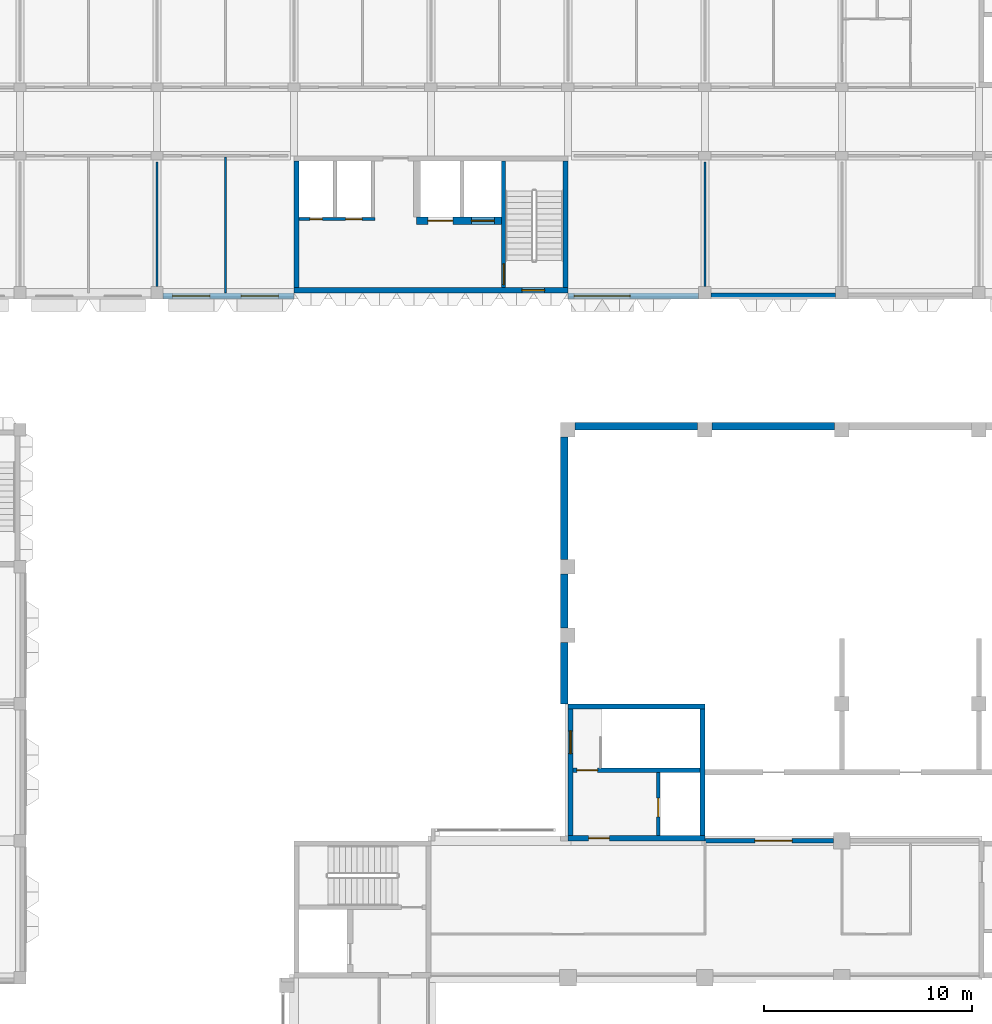
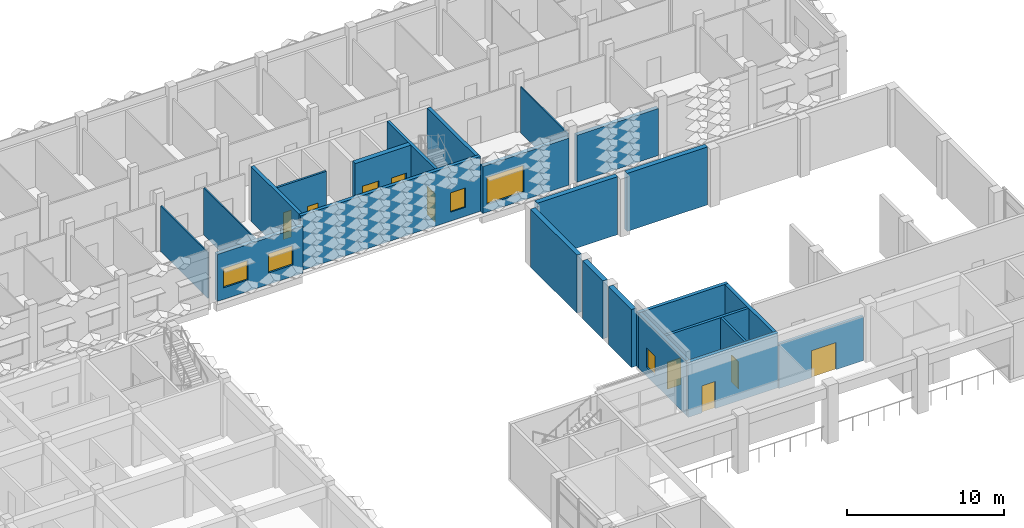
# One storey, part 35 of 87: 24 walls, 9 doors, 5 windows, 14 openings.
"""IFC4 building model written with IfcOpenShell, lengths in metres."""

from ifc_helpers import new_model, si_unit, direction, frame, frame_2d, origin, place, context, subcontext, project, spatial, rectangle, extrude, material, layer, layer_set, type_object, element, fill, save


model = new_model("IFC4")

# Units and contexts
model_context = context("Model", 3, precision=1e-05, world=origin(), true_north=direction((0.0, 1.0)))
body_context = subcontext(model_context, "Body", "Model", "MODEL_VIEW")
ifc_project = project(units=[si_unit("LENGTHUNIT", "METRE"), si_unit("AREAUNIT", "SQUARE_METRE"), si_unit("VOLUMEUNIT", "CUBIC_METRE"), si_unit("PLANEANGLEUNIT", "RADIAN"), si_unit("MASSUNIT", "GRAM", prefix="KILO")], contexts=[model_context])

# Site, building, storey
site_placement = place(None, origin())
site = spatial("IfcSite", under=ifc_project, at=site_placement, CompositionType="ELEMENT")
building_placement = place(site_placement, origin())
building = spatial("IfcBuilding", under=site, at=building_placement, Name="Lantern Court Research Institute", CompositionType="ELEMENT")
storey_placement = place(building_placement, frame((0.0, 0.0, 5.39990234375)))
storey = spatial("IfcBuildingStorey", under=building, at=storey_placement, Name="L01", CompositionType="ELEMENT", Elevation=5.39990234375)

# Wall, openings, windows
ifc_material_1 = material(Name="Concrete C30/37", Category="concrete")
ifc_layer_1 = layer(ifc_material_1, 0.300048828125)
ifc_layer_set_1 = layer_set([ifc_layer_1], Name="Concrete C30/37")
wall_type_1 = type_object("IfcWallType", Name="Insulated concrete infill wall 300", PredefinedType="STANDARD", material=ifc_layer_set_1)
wall_1_placement = place(storey_placement, frame((39.60009765625, 82.35009765625, 0.0), z_axis=(0.0, 0.0, 1.0), x_axis=(-1.0, 0.0, 0.0)))
wall_1 = element("IfcWall", 1, at=wall_1_placement, inside=storey, type_object=wall_type_1, Name="Exterior wall EW124", PredefinedType="STANDARD", context=body_context, shape_type="SweptSolid", body=[
    extrude(rectangle(XDim=6.300048828125, YDim=0.300048828125, at=frame_2d((3.14990234375, 0.0))), origin(), (0.0, 0.0, 1.0), 3.650146484375),
])
opening_1_placement = place(wall_1_placement, frame((4.050048828125, 0.0, 0.89990234375)))
opening_1 = element("IfcOpeningElement", 2, at=opening_1_placement, cuts=wall_1, Name="Opening W14", PredefinedType="OPENING", context=body_context, shape_type="SweptSolid", body=[
    extrude(rectangle(XDim=1.800048828125, YDim=1.5, at=frame_2d((0.89990234375, 0.75))), frame((0.0, 0.159912109375, 0.0), z_axis=(0.0, -1.0, 0.0), x_axis=(1.0, 0.0, 0.0)), (0.0, 0.0, 1.0), 0.320068359375),
])
opening_2_placement = place(wall_1_placement, frame((0.75, 0.0, 0.89990234375)))
opening_2 = element("IfcOpeningElement", 3, at=opening_2_placement, cuts=wall_1, Name="Opening W14", PredefinedType="OPENING", context=body_context, shape_type="SweptSolid", body=[
    extrude(rectangle(XDim=1.800048828125, YDim=1.5, at=frame_2d((0.89990234375, 0.75))), frame((0.0, 0.159912109375, 0.0), z_axis=(0.0, -1.0, 0.0), x_axis=(1.0, 0.0, 0.0)), (0.0, 0.0, 1.0), 0.320068359375),
])
ifc_material_2 = material(Name="Aluminium frame with laminated low-emissivity glazing", Category="aluminium")
window_type_1 = type_object("IfcWindowType", Name="Office window 1800 x 1500", PartitioningType="SINGLE_PANEL", PredefinedType="WINDOW", material=ifc_material_2)
window_1_placement = place(opening_1_placement, origin())
window_1 = element("IfcWindow", 4, at=window_1_placement, inside=storey, type_object=window_type_1, Name="Window W14 V6S L01", OverallHeight=1.5, OverallWidth=1.800048828125, PartitioningType="SINGLE_PANEL", PredefinedType="WINDOW", context=body_context, shape_type="SweptSolid", body=[
    extrude(rectangle(XDim=1.800048828125, YDim=1.5, at=frame_2d((0.89990234375, 0.75))), frame((0.0, 0.030029296875, 0.0), z_axis=(0.0, -1.0, 0.0), x_axis=(1.0, 0.0, 0.0)), (0.0, 0.0, 1.0), 0.06005859375),
])
fill(opening_1, window_1)
window_2_placement = place(opening_2_placement, origin())
window_2 = element("IfcWindow", 5, at=window_2_placement, inside=storey, type_object=window_type_1, Name="Window W14 V6S L01", OverallHeight=1.5, OverallWidth=1.800048828125, PartitioningType="SINGLE_PANEL", PredefinedType="WINDOW", context=body_context, shape_type="SweptSolid", body=[
    extrude(rectangle(XDim=1.800048828125, YDim=1.5, at=frame_2d((0.89990234375, 0.75))), frame((0.0, 0.030029296875, 0.0), z_axis=(0.0, -1.0, 0.0), x_axis=(1.0, 0.0, 0.0)), (0.0, 0.0, 1.0), 0.06005859375),
])
fill(opening_2, window_2)

# Wall, opening, window
wall_2_placement = place(storey_placement, frame((59.10009765625, 82.35009765625, 0.0), z_axis=(0.0, 0.0, 1.0), x_axis=(-1.0, 0.0, 0.0)))
wall_2 = element("IfcWall", 6, at=wall_2_placement, inside=storey, type_object=wall_type_1, Name="Exterior wall EW125", PredefinedType="STANDARD", context=body_context, shape_type="SweptSolid", body=[
    extrude(rectangle(XDim=6.300048828125, YDim=0.300048828125, at=frame_2d((3.14990234375, 0.0))), origin(), (0.0, 0.0, 1.0), 3.650146484375),
])
opening_3_placement = place(wall_2_placement, frame((3.300048828125, 0.0, 0.60009765625)))
opening_3 = element("IfcOpeningElement", 7, at=opening_3_placement, cuts=wall_2, Name="Opening W15", PredefinedType="OPENING", context=body_context, shape_type="SweptSolid", body=[
    extrude(rectangle(XDim=2.699951171875, YDim=2.10009765625, at=frame_2d((1.35009765625, 1.050048828125))), frame((0.0, 0.159912109375, 0.0), z_axis=(0.0, -1.0, 0.0), x_axis=(1.0, 0.0, 0.0)), (0.0, 0.0, 1.0), 0.320068359375),
])
ifc_material_3 = material(Name="Aluminium frame with laminated low-emissivity glazing", Category="aluminium")
window_type_2 = type_object("IfcWindowType", Name="Reading room window 2700 x 2100", PartitioningType="SINGLE_PANEL", PredefinedType="WINDOW", material=ifc_material_3)
window_3_placement = place(opening_3_placement, origin())
window_3 = element("IfcWindow", 8, at=window_3_placement, inside=storey, type_object=window_type_2, Name="Window W15 V6S L01", OverallHeight=2.10009765625, OverallWidth=2.699951171875, PartitioningType="SINGLE_PANEL", PredefinedType="WINDOW", context=body_context, shape_type="SweptSolid", body=[
    extrude(rectangle(XDim=2.699951171875, YDim=2.10009765625, at=frame_2d((1.35009765625, 1.050048828125))), frame((0.0, 0.030029296875, 0.0), z_axis=(0.0, -1.0, 0.0), x_axis=(1.0, 0.0, 0.0)), (0.0, 0.0, 1.0), 0.06005859375),
])
fill(opening_3, window_3)

# Walls
wall_3_placement = place(storey_placement, frame((65.699951171875, 82.35009765625, 0.0), z_axis=(0.0, 0.0, 1.0), x_axis=(-1.0, 0.0, 0.0)))
element("IfcWall", 9, at=wall_3_placement, inside=storey, type_object=wall_type_1, Name="Exterior wall EW126", PredefinedType="STANDARD", context=body_context, shape_type="SweptSolid", body=[
    extrude(rectangle(XDim=6.0, YDim=0.300048828125, at=frame_2d((3.0, 0.0))), origin(), (0.0, 0.0, 1.0), 3.650146484375),
])
ifc_material_4 = material(Name="Gypsum board on metal studs")
ifc_layer_2 = layer(ifc_material_4, 0.10009765625)
ifc_layer_set_2 = layer_set([ifc_layer_2], Name="Gypsum board on metal studs")
wall_type_2 = type_object("IfcWallType", Name="Partition 100 mm", PredefinedType="PARTITIONING", material=ifc_layer_set_2)
wall_4_placement = place(storey_placement, frame((33.0, 82.800048828125, 0.0), z_axis=(0.0, 0.0, 1.0), x_axis=(0.0, 1.0, 0.0)))
element("IfcWall", 10, at=wall_4_placement, inside=storey, type_object=wall_type_2, Name="Wall V6-L01-051", PredefinedType="PARTITIONING", context=body_context, shape_type="SweptSolid", body=[
    extrude(rectangle(XDim=6.0, YDim=0.10009765625, at=frame_2d((3.0, 0.0))), origin(), (0.0, 0.0, 1.0), 3.550048828125),
])
wall_5_placement = place(storey_placement, frame((36.300048828125, 82.5, 0.0), z_axis=(0.0, 0.0, 1.0), x_axis=(0.0, 1.0, 0.0)))
element("IfcWall", 11, at=wall_5_placement, inside=storey, type_object=wall_type_2, Name="Wall V6-L01-053", PredefinedType="PARTITIONING", context=body_context, shape_type="SweptSolid", body=[
    extrude(rectangle(XDim=6.537109375, YDim=0.10009765625, at=frame_2d((3.2685546875, 0.0))), origin(), (0.0, 0.0, 1.0), 3.650146484375),
])
wall_6_placement = place(storey_placement, frame((59.39990234375, 82.800048828125, 0.0), z_axis=(0.0, 0.0, 1.0), x_axis=(0.0, 1.0, 0.0)))
element("IfcWall", 12, at=wall_6_placement, inside=storey, type_object=wall_type_2, Name="Wall V6-L01-061", PredefinedType="PARTITIONING", context=body_context, shape_type="SweptSolid", body=[
    extrude(rectangle(XDim=6.0, YDim=0.10009765625, at=frame_2d((3.0, 0.0))), origin(), (0.0, 0.0, 1.0), 3.550048828125),
])

# Wall, opening, door
ifc_material_5 = material(Name="Fire-rated blockwork", Category="masonry")
ifc_layer_3 = layer(ifc_material_5, 0.199951171875)
ifc_layer_set_3 = layer_set([ifc_layer_3], Name="Fire-rated blockwork")
wall_type_3 = type_object("IfcWallType", Name="Party wall 200 mm EI 120", PredefinedType="PARTITIONING", material=ifc_layer_set_3)
wall_7_placement = place(storey_placement, frame((59.39990234375, 56.10009765625, 0.0), z_axis=(0.0, 0.0, 1.0), x_axis=(1.0, 0.0, 0.0)))
wall_7 = element("IfcWall", 13, at=wall_7_placement, inside=storey, type_object=wall_type_3, Name="Wall V1-L01-001", PredefinedType="PARTITIONING", context=body_context, shape_type="SweptSolid", body=[
    extrude(rectangle(XDim=6.2001953125, YDim=0.199951171875, at=frame_2d((3.10009765625, 0.0))), origin(), (0.0, 0.0, 1.0), 3.4501953125),
])
opening_4_placement = place(wall_7_placement, frame((2.39990234375, 0.0, 0.0)))
opening_4 = element("IfcOpeningElement", 14, at=opening_4_placement, cuts=wall_7, Name="Opening D1101", PredefinedType="OPENING", context=body_context, shape_type="SweptSolid", body=[
    extrude(rectangle(XDim=1.800048828125, YDim=2.10009765625, at=frame_2d((0.89990234375, 1.050048828125))), frame((0.0, 0.10986328125, 0.0), z_axis=(0.0, -1.0, 0.0), x_axis=(1.0, 0.0, 0.0)), (0.0, 0.0, 1.0), 0.219970703125),
])
ifc_material_6 = material(Name="Timber veneered door leaf", Category="wood")
door_type_1 = type_object("IfcDoorType", Name="Door 1800 x 2100 reception pair FD60", OperationType="DOUBLE_DOOR_SINGLE_SWING", PredefinedType="DOOR", material=ifc_material_6)
door_1_placement = place(opening_4_placement, origin())
door_1 = element("IfcDoor", 15, at=door_1_placement, inside=storey, type_object=door_type_1, Name="Door D1101", OperationType="DOUBLE_DOOR_SINGLE_SWING", OverallHeight=2.10009765625, OverallWidth=1.800048828125, PredefinedType="DOOR", context=body_context, shape_type="SweptSolid", body=[
    extrude(rectangle(XDim=1.800048828125, YDim=2.10009765625, at=frame_2d((0.89990234375, 1.050048828125))), frame((0.0, 0.02490234375, 0.0), z_axis=(0.0, -1.0, 0.0), x_axis=(1.0, 0.0, 0.0)), (0.0, 0.0, 1.0), 0.050048828125),
])
fill(opening_4, door_1)

# Walls
ifc_material_7 = material(Name="Concrete C40/50", Category="concrete")
ifc_layer_4 = layer(ifc_material_7, 0.25)
ifc_layer_set_4 = layer_set([ifc_layer_4], Name="Concrete C40/50")
wall_type_4 = type_object("IfcWallType", Name="RC core wall 250", PredefinedType="SHEAR", material=ifc_layer_set_4)
for number, where, z_axis, x_axis, name in (
    (16, (52.675048828125, 88.85009765625, 0.0), (0.0, 0.0, 1.0), (0.0, -1.0, 0.0), "East wall of core WC-M"),
    (17, (39.72509765625, 88.85009765625, 0.0), (0.0, 0.0, 1.0), (0.0, -1.0, 0.0), "West wall of core WC-M"),
):
    element("IfcWall", number, at=place(storey_placement, frame(where, z_axis=z_axis, x_axis=x_axis)), inside=storey, type_object=wall_type_4, Name=name, PredefinedType="SHEAR", context=body_context, shape_type="SweptSolid", body=[
        extrude(rectangle(XDim=6.10009765625, YDim=0.25, at=frame_2d((3.050048828125, 0.0))), origin(), (0.0, 0.0, 1.0), 4.25),
    ])

# Wall, opening, door
wall_8_placement = place(storey_placement, frame((52.800048828125, 56.22509765625, 0.0), z_axis=(0.0, 0.0, 1.0), x_axis=(1.0, 0.0, 0.0)))
wall_8 = element("IfcWall", 18, at=wall_8_placement, inside=storey, type_object=wall_type_4, Name="South wall of core TH-A", PredefinedType="SHEAR", context=body_context, shape_type="SweptSolid", body=[
    extrude(rectangle(XDim=6.599853515625, YDim=0.25, at=frame_2d((3.2998046875, 0.0))), origin(), (0.0, 0.0, 1.0), 4.25),
])
opening_5_placement = place(wall_8_placement, frame((1.0, 0.0, 0.0)))
opening_5 = element("IfcOpeningElement", 19, at=opening_5_placement, cuts=wall_8, Name="Opening D7338", PredefinedType="OPENING", context=body_context, shape_type="SweptSolid", body=[
    extrude(rectangle(XDim=1.0, YDim=2.10009765625, at=frame_2d((0.5, 1.050048828125))), frame((0.0, 0.135009765625, 0.0), z_axis=(0.0, -1.0, 0.0), x_axis=(1.0, 0.0, 0.0)), (0.0, 0.0, 1.0), 0.27001953125),
])
ifc_material_8 = material(Name="Steel fire door leaf with smoke seals", Category="steel")
door_type_2 = type_object("IfcDoorType", Name="Door 1000 x 2100 fire rated FD60S", OperationType="NOTDEFINED", PredefinedType="DOOR", material=ifc_material_8)
door_2_placement = place(opening_5_placement, origin())
door_2 = element("IfcDoor", 20, at=door_2_placement, inside=storey, type_object=door_type_2, Name="Lobby door", OperationType="SINGLE_SWING_RIGHT", OverallHeight=2.10009765625, OverallWidth=1.0, PredefinedType="DOOR", context=body_context, shape_type="SweptSolid", body=[
    extrude(rectangle(XDim=1.0, YDim=2.10009765625, at=frame_2d((0.5, 1.050048828125))), frame((0.0, 0.02490234375, 0.0), z_axis=(0.0, -1.0, 0.0), x_axis=(1.0, 0.0, 0.0)), (0.0, 0.0, 1.0), 0.050048828125),
])
fill(opening_5, door_2)

# Walls
wall_9_placement = place(storey_placement, frame((52.800048828125, 62.574951171875, 0.0), z_axis=(0.0, 0.0, 1.0), x_axis=(1.0, 0.0, 0.0)))
element("IfcWall", 21, at=wall_9_placement, inside=storey, type_object=wall_type_4, Name="North wall of core TH-A", PredefinedType="SHEAR", context=body_context, shape_type="SweptSolid", body=[
    extrude(rectangle(XDim=6.599853515625, YDim=0.25, at=frame_2d((3.2998046875, 0.0))), origin(), (0.0, 0.0, 1.0), 4.25),
])
wall_10_placement = place(storey_placement, frame((59.27490234375, 56.35009765625, 0.0), z_axis=(0.0, 0.0, 1.0), x_axis=(0.0, 1.0, 0.0)))
element("IfcWall", 22, at=wall_10_placement, inside=storey, type_object=wall_type_4, Name="East wall of core TH-A", PredefinedType="SHEAR", context=body_context, shape_type="SweptSolid", body=[
    extrude(rectangle(XDim=6.099853515625, YDim=0.25, at=frame_2d((3.0498046875, 0.0))), origin(), (0.0, 0.0, 1.0), 4.25),
])

# Wall, opening, window
ifc_material_9 = material(Name="Concrete C40/50", Category="concrete")
ifc_layer_5 = layer(ifc_material_9, 0.25)
ifc_layer_set_5 = layer_set([ifc_layer_5], Name="Concrete C40/50")
wall_type_5 = type_object("IfcWallType", Name="RC core wall 250 facade", PredefinedType="SHEAR", material=ifc_layer_set_5)
wall_11_placement = place(storey_placement, frame((52.800048828125, 82.625, 0.0), z_axis=(0.0, 0.0, 1.0), x_axis=(-1.0, 0.0, 0.0)))
wall_11 = element("IfcWall", 23, at=wall_11_placement, inside=storey, type_object=wall_type_5, Name="South wall of core WC-M", PredefinedType="SHEAR", context=body_context, shape_type="SweptSolid", body=[
    extrude(rectangle(XDim=13.199951171875, YDim=0.25, at=frame_2d((6.60009765625, 0.0))), origin(), (0.0, 0.0, 1.0), 4.25),
])
opening_6_placement = place(wall_11_placement, frame((1.125, 0.0, 0.699951171875)))
opening_6 = element("IfcOpeningElement", 24, at=opening_6_placement, cuts=wall_11, Name="Opening W5", PredefinedType="OPENING", context=body_context, shape_type="SweptSolid", body=[
    extrude(rectangle(XDim=1.10009765625, YDim=1.5, at=frame_2d((0.550048828125, 0.75))), frame((0.0, 0.135009765625, 0.0), z_axis=(0.0, -1.0, 0.0), x_axis=(1.0, 0.0, 0.0)), (0.0, 0.0, 1.0), 0.27001953125),
])
ifc_material_10 = material(Name="Aluminium alloy 6063-T6 frame with laminated glass", Category="aluminium")
window_type_3 = type_object("IfcWindowType", Name="Stair window 1100 x 1500", PartitioningType="SINGLE_PANEL", PredefinedType="WINDOW", material=ifc_material_10)
window_4_placement = place(opening_6_placement, origin())
window_4 = element("IfcWindow", 25, at=window_4_placement, inside=storey, type_object=window_type_3, Name="Stair window", OverallHeight=1.5, OverallWidth=1.10009765625, PartitioningType="SINGLE_PANEL", PredefinedType="WINDOW", context=body_context, shape_type="SweptSolid", body=[
    extrude(rectangle(XDim=1.10009765625, YDim=1.5, at=frame_2d((0.550048828125, 0.75))), frame((0.0, 0.030029296875, 0.0), z_axis=(0.0, -1.0, 0.0), x_axis=(1.0, 0.0, 0.0)), (0.0, 0.0, 1.0), 0.06005859375),
])
fill(opening_6, window_4)

wall_12_placement = place(storey_placement, frame((52.925048828125, 56.35009765625, 0.0), z_axis=(0.0, 0.0, 1.0), x_axis=(0.0, 1.0, 0.0)))
wall_12 = element("IfcWall", 26, at=wall_12_placement, inside=storey, type_object=wall_type_5, Name="West wall of core TH-A", PredefinedType="SHEAR", context=body_context, shape_type="SweptSolid", body=[
    extrude(rectangle(XDim=6.099853515625, YDim=0.25, at=frame_2d((3.0498046875, 0.0))), origin(), (0.0, 0.0, 1.0), 4.25),
])
opening_7_placement = place(wall_12_placement, frame((3.949951171875, 0.0, 0.699951171875)))
opening_7 = element("IfcOpeningElement", 27, at=opening_7_placement, cuts=wall_12, Name="Opening W5", PredefinedType="OPENING", context=body_context, shape_type="SweptSolid", body=[
    extrude(rectangle(XDim=1.10009765625, YDim=1.5, at=frame_2d((0.550048828125, 0.75))), frame((0.0, 0.135009765625, 0.0), z_axis=(0.0, -1.0, 0.0), x_axis=(1.0, 0.0, 0.0)), (0.0, 0.0, 1.0), 0.27001953125),
])
window_5_placement = place(opening_7_placement, origin())
window_5 = element("IfcWindow", 28, at=window_5_placement, inside=storey, type_object=window_type_3, Name="Stair window", OverallHeight=1.5, OverallWidth=1.10009765625, PartitioningType="SINGLE_PANEL", PredefinedType="WINDOW", context=body_context, shape_type="SweptSolid", body=[
    extrude(rectangle(XDim=1.10009765625, YDim=1.5, at=frame_2d((0.550048828125, 0.75))), frame((0.0, 0.030029296875, 0.0), z_axis=(0.0, -1.0, 0.0), x_axis=(1.0, 0.0, 0.0)), (0.0, 0.0, 1.0), 0.06005859375),
])
fill(opening_7, window_5)

# Wall, openings, doors
ifc_material_11 = material(Name="Concrete C40/50", Category="concrete")
ifc_layer_6 = layer(ifc_material_11, 0.14990234375)
ifc_layer_set_6 = layer_set([ifc_layer_6], Name="Concrete C40/50")
wall_type_6 = type_object("IfcWallType", Name="RC shaft wall 150", PredefinedType="SHEAR", material=ifc_layer_set_6)
wall_13_placement = place(storey_placement, frame((43.5, 86.050048828125, 0.0), z_axis=(0.0, 0.0, 1.0), x_axis=(-1.0, 0.0, 0.0)))
wall_13 = element("IfcWall", 29, at=wall_13_placement, inside=storey, type_object=wall_type_6, Name="Riser wall of core WC-M", PredefinedType="SHEAR", context=body_context, shape_type="SweptSolid", body=[
    extrude(rectangle(XDim=3.64990234375, YDim=0.14990234375, at=frame_2d((1.824951171875, 0.0))), origin(), (0.0, 0.0, 1.0), 4.25),
])
opening_8_placement = place(wall_13_placement, frame((0.612548828125, 0.0, 0.0)))
opening_8 = element("IfcOpeningElement", 30, at=opening_8_placement, cuts=wall_13, Name="Opening D7231", PredefinedType="OPENING", context=body_context, shape_type="SweptSolid", body=[
    extrude(rectangle(XDim=0.800048828125, YDim=2.0, at=frame_2d((0.39990234375, 1.0))), frame((0.0, 0.0849609375, 0.0), z_axis=(0.0, -1.0, 0.0), x_axis=(1.0, 0.0, 0.0)), (0.0, 0.0, 1.0), 0.169921875),
])
opening_9_placement = place(wall_13_placement, frame((2.53759765625, 0.0, 0.0)))
opening_9 = element("IfcOpeningElement", 31, at=opening_9_placement, cuts=wall_13, Name="Opening D7232", PredefinedType="OPENING", context=body_context, shape_type="SweptSolid", body=[
    extrude(rectangle(XDim=0.60009765625, YDim=2.10009765625, at=frame_2d((0.300048828125, 1.050048828125))), frame((0.0, 0.0849609375, 0.0), z_axis=(0.0, -1.0, 0.0), x_axis=(1.0, 0.0, 0.0)), (0.0, 0.0, 1.0), 0.169921875),
])
ifc_material_12 = material(Name="Steel fire door leaf", Category="steel")
door_type_3 = type_object("IfcDoorType", Name="Door 600 x 2100 fire rated FD60", OperationType="NOTDEFINED", PredefinedType="DOOR", material=ifc_material_12)
door_3_placement = place(opening_9_placement, origin())
door_3 = element("IfcDoor", 32, at=door_3_placement, inside=storey, type_object=door_type_3, Name="Riser door", OperationType="SINGLE_SWING_RIGHT", OverallHeight=2.10009765625, OverallWidth=0.60009765625, PredefinedType="DOOR", context=body_context, shape_type="SweptSolid", body=[
    extrude(rectangle(XDim=0.60009765625, YDim=2.10009765625, at=frame_2d((0.300048828125, 1.050048828125))), frame((0.0, 0.02490234375, 0.0), z_axis=(0.0, -1.0, 0.0), x_axis=(1.0, 0.0, 0.0)), (0.0, 0.0, 1.0), 0.050048828125),
])
fill(opening_9, door_3)
ifc_material_13 = material(Name="Steel fire door leaf", Category="steel")
door_type_4 = type_object("IfcDoorType", Name="Door 800 x 2000 fire rated FD60", OperationType="NOTDEFINED", PredefinedType="DOOR", material=ifc_material_13)
door_4_placement = place(opening_8_placement, origin())
door_4 = element("IfcDoor", 33, at=door_4_placement, inside=storey, type_object=door_type_4, Name="Riser door", OperationType="SINGLE_SWING_RIGHT", OverallHeight=2.0, OverallWidth=0.800048828125, PredefinedType="DOOR", context=body_context, shape_type="SweptSolid", body=[
    extrude(rectangle(XDim=0.800048828125, YDim=2.0, at=frame_2d((0.39990234375, 1.0))), frame((0.0, 0.02490234375, 0.0), z_axis=(0.0, -1.0, 0.0), x_axis=(1.0, 0.0, 0.0)), (0.0, 0.0, 1.0), 0.050048828125),
])
fill(opening_8, door_4)

# Wall, opening, door
wall_14_placement = place(storey_placement, frame((57.14990234375, 56.35009765625, 0.0), z_axis=(0.0, 0.0, 1.0), x_axis=(0.0, 1.0, 0.0)))
wall_14 = element("IfcWall", 34, at=wall_14_placement, inside=storey, type_object=wall_type_6, Name="Riser wall of core TH-A", PredefinedType="SHEAR", context=body_context, shape_type="SweptSolid", body=[
    extrude(rectangle(XDim=3.0498046875, YDim=0.14990234375, at=frame_2d((1.52490234375, 0.0))), origin(), (0.0, 0.0, 1.0), 4.25),
])
opening_10_placement = place(wall_14_placement, frame((0.89990234375, 0.0, 0.0)))
opening_10 = element("IfcOpeningElement", 35, at=opening_10_placement, cuts=wall_14, Name="Opening D7337", PredefinedType="OPENING", context=body_context, shape_type="SweptSolid", body=[
    extrude(rectangle(XDim=0.89990234375, YDim=2.10009765625, at=frame_2d((0.449951171875, 1.050048828125))), frame((0.0, 0.0849609375, 0.0), z_axis=(0.0, -1.0, 0.0), x_axis=(1.0, 0.0, 0.0)), (0.0, 0.0, 1.0), 0.169921875),
])
ifc_material_14 = material(Name="Steel fire door leaf", Category="steel")
door_type_5 = type_object("IfcDoorType", Name="Door 900 x 2100 fire rated FD60", OperationType="NOTDEFINED", PredefinedType="DOOR", material=ifc_material_14)
door_5_placement = place(opening_10_placement, origin())
door_5 = element("IfcDoor", 36, at=door_5_placement, inside=storey, type_object=door_type_5, Name="Riser door", OperationType="SINGLE_SWING_RIGHT", OverallHeight=2.10009765625, OverallWidth=0.89990234375, PredefinedType="DOOR", context=body_context, shape_type="SweptSolid", body=[
    extrude(rectangle(XDim=0.89990234375, YDim=2.10009765625, at=frame_2d((0.449951171875, 1.050048828125))), frame((0.0, 0.02490234375, 0.0), z_axis=(0.0, -1.0, 0.0), x_axis=(1.0, 0.0, 0.0)), (0.0, 0.0, 1.0), 0.050048828125),
])
fill(opening_10, door_5)

ifc_material_15 = material(Name="Concrete C40/50", Category="concrete")
ifc_layer_7 = layer(ifc_material_15, 0.199951171875)
ifc_layer_set_7 = layer_set([ifc_layer_7], Name="Concrete C40/50")
wall_type_7 = type_object("IfcWallType", Name="RC shaft wall 200", PredefinedType="SHEAR", material=ifc_layer_set_7)
wall_15_placement = place(storey_placement, frame((49.699951171875, 88.85009765625, 0.0), z_axis=(0.0, 0.0, 1.0), x_axis=(0.0, -1.0, 0.0)))
wall_15 = element("IfcWall", 37, at=wall_15_placement, inside=storey, type_object=wall_type_7, Name="Stair wall of core WC-M", PredefinedType="SHEAR", context=body_context, shape_type="SweptSolid", body=[
    extrude(rectangle(XDim=6.10009765625, YDim=0.199951171875, at=frame_2d((3.050048828125, 0.0))), origin(), (0.0, 0.0, 1.0), 4.25),
])
opening_11_placement = place(wall_15_placement, frame((4.949951171875, 0.0, 0.0)))
opening_11 = element("IfcOpeningElement", 38, at=opening_11_placement, cuts=wall_15, Name="Opening D7233", PredefinedType="OPENING", context=body_context, shape_type="SweptSolid", body=[
    extrude(rectangle(XDim=1.0, YDim=2.199951171875, at=frame_2d((0.5, 1.10009765625))), frame((0.0, 0.10986328125, 0.0), z_axis=(0.0, -1.0, 0.0), x_axis=(1.0, 0.0, 0.0)), (0.0, 0.0, 1.0), 0.219970703125),
])
ifc_material_16 = material(Name="Steel fire door leaf with smoke seals", Category="steel")
door_type_6 = type_object("IfcDoorType", Name="Door 1000 x 2200 fire rated FD60S", OperationType="NOTDEFINED", PredefinedType="DOOR", material=ifc_material_16)
door_6_placement = place(opening_11_placement, origin())
door_6 = element("IfcDoor", 39, at=door_6_placement, inside=storey, type_object=door_type_6, Name="Stair door", OperationType="SINGLE_SWING_LEFT", OverallHeight=2.199951171875, OverallWidth=1.0, PredefinedType="DOOR", context=body_context, shape_type="SweptSolid", body=[
    extrude(rectangle(XDim=1.0, YDim=2.199951171875, at=frame_2d((0.5, 1.10009765625))), frame((0.0, 0.02490234375, 0.0), z_axis=(0.0, -1.0, 0.0), x_axis=(1.0, 0.0, 0.0)), (0.0, 0.0, 1.0), 0.050048828125),
])
fill(opening_11, door_6)

wall_16_placement = place(storey_placement, frame((53.050048828125, 59.5, 0.0), z_axis=(0.0, 0.0, 1.0), x_axis=(1.0, 0.0, 0.0)))
wall_16 = element("IfcWall", 40, at=wall_16_placement, inside=storey, type_object=wall_type_7, Name="Stair wall of core TH-A", PredefinedType="SHEAR", context=body_context, shape_type="SweptSolid", body=[
    extrude(rectangle(XDim=6.099853515625, YDim=0.199951171875, at=frame_2d((3.0498046875, 0.0))), origin(), (0.0, 0.0, 1.0), 4.25),
])
opening_12_placement = place(wall_16_placement, frame((0.175048828125, 0.0, 0.0)))
opening_12 = element("IfcOpeningElement", 41, at=opening_12_placement, cuts=wall_16, Name="Opening D7339", PredefinedType="OPENING", context=body_context, shape_type="SweptSolid", body=[
    extrude(rectangle(XDim=1.0, YDim=2.10009765625, at=frame_2d((0.5, 1.050048828125))), frame((0.0, 0.10986328125, 0.0), z_axis=(0.0, -1.0, 0.0), x_axis=(1.0, 0.0, 0.0)), (0.0, 0.0, 1.0), 0.219970703125),
])
door_7_placement = place(opening_12_placement, origin())
door_7 = element("IfcDoor", 42, at=door_7_placement, inside=storey, type_object=door_type_2, Name="Stair door", OperationType="SINGLE_SWING_RIGHT", OverallHeight=2.10009765625, OverallWidth=1.0, PredefinedType="DOOR", context=body_context, shape_type="SweptSolid", body=[
    extrude(rectangle(XDim=1.0, YDim=2.10009765625, at=frame_2d((0.5, 1.050048828125))), frame((0.0, 0.02490234375, 0.0), z_axis=(0.0, -1.0, 0.0), x_axis=(1.0, 0.0, 0.0)), (0.0, 0.0, 1.0), 0.050048828125),
])
fill(opening_12, door_7)

# Wall, openings, doors
ifc_material_17 = material(Name="Concrete C40/50", Category="concrete")
ifc_layer_8 = layer(ifc_material_17, 0.35009765625)
ifc_layer_set_8 = layer_set([ifc_layer_8], Name="Concrete C40/50")
wall_type_8 = type_object("IfcWallType", Name="RC shaft wall 350", PredefinedType="SHEAR", material=ifc_layer_set_8)
wall_17_placement = place(storey_placement, frame((49.60009765625, 85.97509765625, 0.0), z_axis=(0.0, 0.0, 1.0), x_axis=(-1.0, 0.0, 0.0)))
wall_17 = element("IfcWall", 43, at=wall_17_placement, inside=storey, type_object=wall_type_8, Name="Lift shaft wall of core WC-M", PredefinedType="SHEAR", context=body_context, shape_type="SweptSolid", body=[
    extrude(rectangle(XDim=4.10009765625, YDim=0.35009765625, at=frame_2d((2.050048828125, 0.0))), origin(), (0.0, 0.0, 1.0), 4.25),
])
opening_13_placement = place(wall_17_placement, frame((0.35009765625, 0.0, 0.0)))
opening_13 = element("IfcOpeningElement", 44, at=opening_13_placement, cuts=wall_17, Name="Opening D7234", PredefinedType="OPENING", context=body_context, shape_type="SweptSolid", body=[
    extrude(rectangle(XDim=1.10009765625, YDim=2.199951171875, at=frame_2d((0.550048828125, 1.10009765625))), frame((0.0, 0.18505859375, 0.0), z_axis=(0.0, -1.0, 0.0), x_axis=(1.0, 0.0, 0.0)), (0.0, 0.0, 1.0), 0.3701171875),
])
opening_14_placement = place(wall_17_placement, frame((2.35009765625, 0.0, 0.0)))
opening_14 = element("IfcOpeningElement", 45, at=opening_14_placement, cuts=wall_17, Name="Opening D7235", PredefinedType="OPENING", context=body_context, shape_type="SweptSolid", body=[
    extrude(rectangle(XDim=1.199951171875, YDim=2.300048828125, at=frame_2d((0.60009765625, 1.14990234375))), frame((0.0, 0.18505859375, 0.0), z_axis=(0.0, -1.0, 0.0), x_axis=(1.0, 0.0, 0.0)), (0.0, 0.0, 1.0), 0.3701171875),
])
ifc_material_18 = material(Name="Stainless steel landing door panels", Category="steel")
door_type_7 = type_object("IfcDoorType", Name="Lift landing door 1100 x 2200 sliding FD60", OperationType="DOUBLE_DOOR_SLIDING", PredefinedType="NOTDEFINED", material=ifc_material_18)
door_8_placement = place(opening_13_placement, origin())
door_8 = element("IfcDoor", 46, at=door_8_placement, inside=storey, type_object=door_type_7, Name="Landing door", OperationType="DOUBLE_DOOR_SLIDING", OverallHeight=2.199951171875, OverallWidth=1.10009765625, PredefinedType="NOTDEFINED", context=body_context, shape_type="SweptSolid", body=[
    extrude(rectangle(XDim=1.10009765625, YDim=2.199951171875, at=frame_2d((0.550048828125, 1.10009765625))), frame((0.0, 0.02490234375, 0.0), z_axis=(0.0, -1.0, 0.0), x_axis=(1.0, 0.0, 0.0)), (0.0, 0.0, 1.0), 0.050048828125),
])
fill(opening_13, door_8)
ifc_material_19 = material(Name="Stainless steel landing door panels", Category="steel")
door_type_8 = type_object("IfcDoorType", Name="Lift landing door 1200 x 2300 sliding FD60", OperationType="DOUBLE_DOOR_SLIDING", PredefinedType="NOTDEFINED", material=ifc_material_19)
door_9_placement = place(opening_14_placement, origin())
door_9 = element("IfcDoor", 47, at=door_9_placement, inside=storey, type_object=door_type_8, Name="Landing door", OperationType="DOUBLE_DOOR_SLIDING", OverallHeight=2.300048828125, OverallWidth=1.199951171875, PredefinedType="NOTDEFINED", context=body_context, shape_type="SweptSolid", body=[
    extrude(rectangle(XDim=1.199951171875, YDim=2.300048828125, at=frame_2d((0.60009765625, 1.14990234375))), frame((0.0, 0.02490234375, 0.0), z_axis=(0.0, -1.0, 0.0), x_axis=(1.0, 0.0, 0.0)), (0.0, 0.0, 1.0), 0.050048828125),
])
fill(opening_14, door_9)

# Walls
ifc_material_20 = material(Name="Glued laminated timber GL28h", Category="wood")
ifc_layer_9 = layer(ifc_material_20, 0.35009765625)
ifc_layer_set_9 = layer_set([ifc_layer_9], Name="Glued laminated timber GL28h")
wall_type_9 = type_object("IfcWallType", Name="Timber-clad drum wall 350", PredefinedType="STANDARD", material=ifc_layer_set_9)
wall_18_placement = place(storey_placement, frame((53.14990234375, 76.074951171875, 0.0), z_axis=(0.0, 0.0, 1.0), x_axis=(1.0, 0.0, 0.0)))
element("IfcWall", 48, at=wall_18_placement, inside=storey, type_object=wall_type_9, Name="Exterior wall EW075", PredefinedType="STANDARD", context=body_context, shape_type="SweptSolid", body=[
    extrude(rectangle(XDim=5.900146484375, YDim=0.35009765625, at=frame_2d((2.9501953125, 0.0))), origin(), (0.0, 0.0, 1.0), 4.5),
])
wall_19_placement = place(storey_placement, frame((59.75, 76.074951171875, 0.0), z_axis=(0.0, 0.0, 1.0), x_axis=(1.0, 0.0, 0.0)))
element("IfcWall", 49, at=wall_19_placement, inside=storey, type_object=wall_type_9, Name="Exterior wall EW076", PredefinedType="STANDARD", context=body_context, shape_type="SweptSolid", body=[
    extrude(rectangle(XDim=5.89990234375, YDim=0.35009765625, at=frame_2d((2.949951171875, 0.0))), origin(), (0.0, 0.0, 1.0), 4.5),
])
wall_20_placement = place(storey_placement, frame((52.625, 62.699951171875, 0.0), z_axis=(0.0, 0.0, 1.0), x_axis=(0.0, 1.0, 0.0)))
element("IfcWall", 50, at=wall_20_placement, inside=storey, type_object=wall_type_9, Name="Exterior wall EW080", PredefinedType="STANDARD", context=body_context, shape_type="SweptSolid", body=[
    extrude(rectangle(XDim=2.949951171875, YDim=0.35009765625, at=frame_2d((1.47509765625, 0.0))), origin(), (0.0, 0.0, 1.0), 4.5),
])
wall_21_placement = place(storey_placement, frame((52.625, 66.35009765625, 0.0), z_axis=(0.0, 0.0, 1.0), x_axis=(0.0, 1.0, 0.0)))
element("IfcWall", 51, at=wall_21_placement, inside=storey, type_object=wall_type_9, Name="Exterior wall EW081", PredefinedType="STANDARD", context=body_context, shape_type="SweptSolid", body=[
    extrude(rectangle(XDim=2.599853515625, YDim=0.35009765625, at=frame_2d((1.2998046875, 0.0))), origin(), (0.0, 0.0, 1.0), 4.5),
])
wall_22_placement = place(storey_placement, frame((52.625, 69.64990234375, 0.0), z_axis=(0.0, 0.0, 1.0), x_axis=(0.0, 1.0, 0.0)))
element("IfcWall", 52, at=wall_22_placement, inside=storey, type_object=wall_type_9, Name="Exterior wall EW082", PredefinedType="STANDARD", context=body_context, shape_type="SweptSolid", body=[
    extrude(rectangle(XDim=5.900146484375, YDim=0.35009765625, at=frame_2d((2.9501953125, 0.0))), origin(), (0.0, 0.0, 1.0), 4.5),
])

save(model, "model.ifc")
